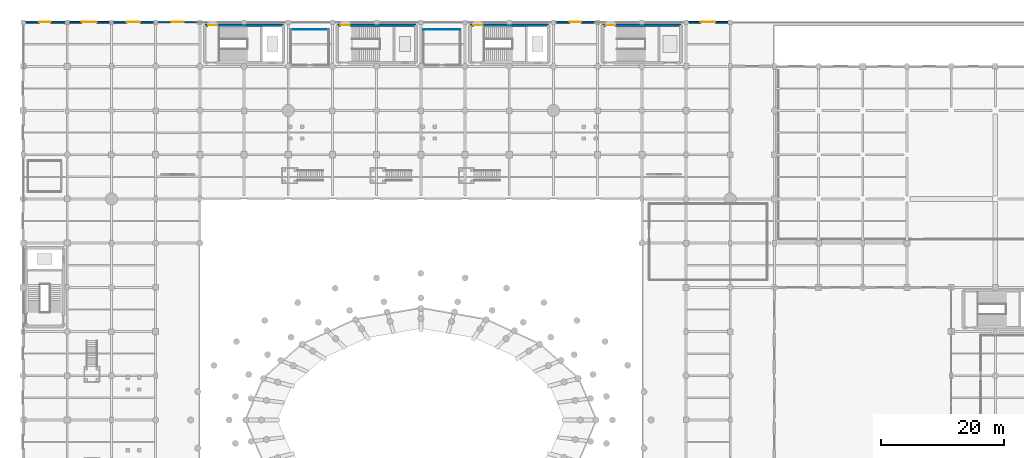
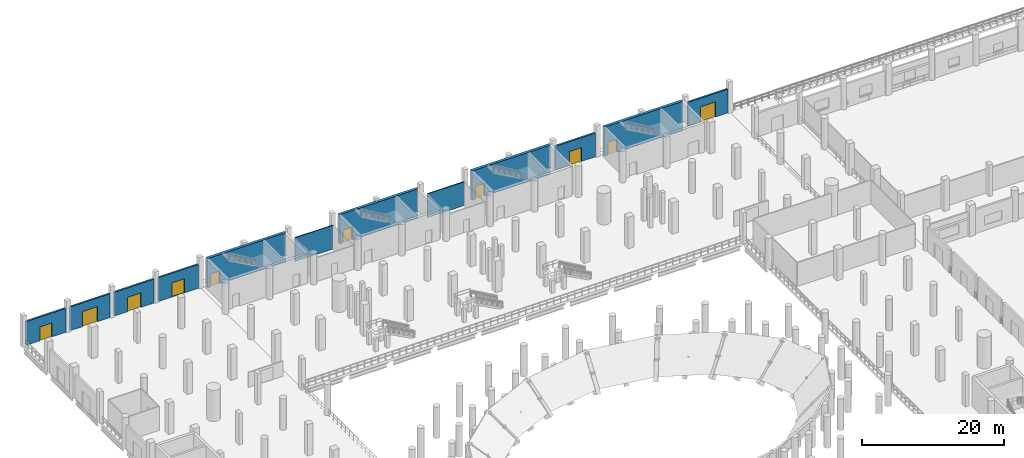
# One storey, part 41 of 58: 12 walls, 10 doors, 10 openings.
"""IFC4 building model written with IfcOpenShell, lengths in metres."""

import ifcopenshell
import ifcopenshell.guid

model = None  # the IFC model being written
_history = None  # IfcOwnerHistory: only IFC2X3 demands one
_inside = {}  # id of a spatial element -> (the spatial element, [elements in it])
_under = {}  # id of a project, library or spatial element -> (it, [spatial elements below it])
_declared = {}  # id of a project -> (the project, [libraries it declares])
_typed = {}  # id of a type object -> (the type object, [elements of that type])
_made_of = {}  # id of a material, layer set ... -> (it, [elements and type objects made of it])


def new_model(schema):
    """Start an empty IFC model of exactly this schema.

    Asked for "IFC4X3", IfcOpenShell would pick the latest addendum, in which some entities
    have other attributes; the version numbers below select the first issue.
    IFC2X3 requires an IfcOwnerHistory on every rooted entity: one is made here for all.
    """
    global model, _history
    if schema == "IFC4X3":
        model = ifcopenshell.file(schema_version=(4, 3, 0, 0))
    else:
        model = ifcopenshell.file(schema=schema)
    _inside.clear()
    _under.clear()
    _declared.clear()
    _typed.clear()
    _made_of.clear()
    _history = None
    if model.schema == "IFC2X3":
        org = make("IfcOrganization", Name="unknown")
        user = make(
            "IfcPersonAndOrganization",
            ThePerson=make("IfcPerson", FamilyName="unknown"),
            TheOrganization=org,
        )
        app = make(
            "IfcApplication",
            ApplicationDeveloper=org,
            Version="unknown",
            ApplicationFullName="unknown",
            ApplicationIdentifier="unknown",
        )
        _history = make(
            "IfcOwnerHistory",
            OwningUser=user,
            OwningApplication=app,
            ChangeAction="ADDED",
            CreationDate=0,
        )
    return model


def make(cls, **values):
    """One entity of the class cls with the attributes given. An attribute that is None is left unset."""
    return model.create_entity(
        cls, **{name: value for name, value in values.items() if value is not None}
    )


def rooted(cls, **values):
    """An entity with a GlobalId (a new one), such as an element, a storey or a relation."""
    return make(cls, GlobalId=ifcopenshell.guid.new(), OwnerHistory=_history, **values)


def si_unit(unit_type, name, prefix=None):
    """IfcSIUnit, for example si_unit("LENGTHUNIT", "METRE", prefix="MILLI")."""
    return make("IfcSIUnit", UnitType=unit_type, Prefix=prefix, Name=name)


def assignment(units):
    """IfcUnitAssignment: the units of a project."""
    return None if units is None else make("IfcUnitAssignment", Units=units)


def point(xyz):
    """IfcCartesianPoint."""
    return None if xyz is None else make("IfcCartesianPoint", Coordinates=xyz)


def direction(xyz):
    """IfcDirection."""
    return None if xyz is None else make("IfcDirection", DirectionRatios=xyz)


def frame(location, z_axis=None, x_axis=None):
    """IfcAxis2Placement3D, a coordinate frame: its origin and axes. An axis left out is left unset."""
    return make(
        "IfcAxis2Placement3D",
        Location=point(location),
        Axis=direction(z_axis),
        RefDirection=direction(x_axis),
    )


def frame_2d(location, x_axis=None):
    """IfcAxis2Placement2D, a coordinate frame in the plane: its origin and x axis."""
    return make(
        "IfcAxis2Placement2D", Location=point(location), RefDirection=direction(x_axis)
    )


def origin():
    """The frame at (0, 0, 0) with its axes left unset."""
    return frame((0.0, 0.0, 0.0))


def place(relative_to, where):
    """IfcLocalPlacement: puts the frame where relative to a parent placement (None: the world)."""
    return make(
        "IfcLocalPlacement", PlacementRelTo=relative_to, RelativePlacement=where
    )


def context(
    kind, dimensions, precision=None, world=None, true_north=None, identifier=None
):
    """IfcGeometricRepresentationContext, for example the 3D "Model" context."""
    return make(
        "IfcGeometricRepresentationContext",
        ContextIdentifier=identifier,
        ContextType=kind,
        CoordinateSpaceDimension=dimensions,
        Precision=precision,
        WorldCoordinateSystem=world,
        TrueNorth=true_north,
    )


def subcontext(parent, identifier, kind, view, scale=None):
    """IfcGeometricRepresentationSubContext, for example "Body" below "Model"."""
    return make(
        "IfcGeometricRepresentationSubContext",
        ContextIdentifier=identifier,
        ContextType=kind,
        ParentContext=parent,
        TargetScale=scale,
        TargetView=view,
    )


def project(units=None, contexts=None):
    """IfcProject with its units and contexts."""
    return rooted(
        "IfcProject",
        Name="project",
        RepresentationContexts=contexts,
        UnitsInContext=assignment(units),
    )


def spatial(cls, under=None, at=None, **own):
    """A site, building, storey or space (cls), placed at a placement, below another one or the project."""
    s = rooted(cls, ObjectPlacement=at, **own)
    if under is not None:
        _under.setdefault(under.id(), (under, []))[1].append(s)
    return s


def profile(cls, at=None, kind="AREA", **sizes):
    """A parametric profile (cls). Its sizes go by their IFC names, for example OverallWidth=200.0."""
    return make(cls, ProfileType=kind, Position=at, **sizes)


def rectangle(**sizes):
    """IfcRectangleProfileDef."""
    return profile("IfcRectangleProfileDef", **sizes)


def extrude(swept, where, along, depth):
    """IfcExtrudedAreaSolid: the profile swept, set in the frame where, extruded along a direction by depth."""
    return make(
        "IfcExtrudedAreaSolid",
        SweptArea=swept,
        Position=where,
        ExtrudedDirection=direction(along),
        Depth=depth,
    )


def shape(context_of_items, identifier, shape_type, items):
    """IfcShapeRepresentation: the items that make up one representation, for example the "Body"."""
    return make(
        "IfcShapeRepresentation",
        ContextOfItems=context_of_items,
        RepresentationIdentifier=identifier,
        RepresentationType=shape_type,
        Items=items,
    )


def material(Name=None, Category=None):
    """IfcMaterial."""
    return make("IfcMaterial", Name=Name, Category=Category)


def layer(
    of_material, thickness, ventilated=None, Name=None, Category=None, Priority=None
):
    """IfcMaterialLayer: one layer of a wall or slab, of a material (None: an air gap)."""
    return make(
        "IfcMaterialLayer",
        Material=of_material,
        LayerThickness=thickness,
        IsVentilated=ventilated,
        Name=Name,
        Category=Category,
        Priority=Priority,
    )


def layer_set(layers, Name=None):
    """IfcMaterialLayerSet."""
    return make("IfcMaterialLayerSet", MaterialLayers=layers, LayerSetName=Name)


def made_of(thing, what):
    """Note that an element or type object is made of a material, layer set ...; save() writes the relation."""
    if what is not None:
        _made_of.setdefault(what.id(), (what, []))[1].append(thing)
    return thing


def type_object(cls, material=None, **own):
    """A type object (cls), such as IfcWallType, which elements share."""
    return made_of(rooted(cls, **own), material)


def element(
    cls,
    number,
    at=None,
    inside=None,
    cuts=None,
    type_object=None,
    material=None,
    context=None,
    identifier="Body",
    shape_type=None,
    held_by="IfcProductDefinitionShape",
    body=None,
    shapes=None,
    **own,
):
    """One element of the class cls, such as IfcWall. Its Tag is "e" and its number.

    at: its placement. inside: the storey or other place that contains it. cuts: it is an
    opening in that element (IfcRelVoidsElement). A single representation is given by context,
    identifier, shape_type and body (its items); several are given by shapes. held_by: the class
    of the entity that holds the representations. save() writes the other relations.
    """
    e = rooted(cls, Tag="e%d" % number, ObjectPlacement=at, **own)
    if body is not None:
        shapes = [shape(context, identifier, shape_type, body)]
    if shapes is not None:
        e.Representation = make(held_by, Representations=shapes)
    if inside is not None:
        _inside.setdefault(inside.id(), (inside, []))[1].append(e)
    if cuts is not None:
        rooted(
            "IfcRelVoidsElement", RelatingBuildingElement=cuts, RelatedOpeningElement=e
        )
    if type_object is not None:
        _typed.setdefault(type_object.id(), (type_object, []))[1].append(e)
    return made_of(e, material)


def fill(opening, filler):
    """IfcRelFillsElement: the door or window that sits in an opening."""
    return rooted(
        "IfcRelFillsElement",
        RelatingOpeningElement=opening,
        RelatedBuildingElement=filler,
    )


def aggregate(whole, parts):
    """IfcRelAggregates: a whole, such as a stair, and the parts it consists of."""
    return rooted("IfcRelAggregates", RelatingObject=whole, RelatedObjects=parts)


def save(model, path):
    """Write the relations noted so far, then the file.

    IfcRelAggregates (storeys below a building ...), IfcRelContainedInSpatialStructure (elements
    in a storey), IfcRelDefinesByType, IfcRelAssociatesMaterial and IfcRelDeclares: one each for
    every whole, place, type object, material and project.
    """
    for whole, parts in _under.values():
        aggregate(whole, parts)
    for where, things in _inside.values():
        rooted(
            "IfcRelContainedInSpatialStructure",
            RelatedElements=things,
            RelatingStructure=where,
        )
    for kind, things in _typed.values():
        rooted("IfcRelDefinesByType", RelatedObjects=things, RelatingType=kind)
    for what, things in _made_of.values():
        rooted("IfcRelAssociatesMaterial", RelatedObjects=things, RelatingMaterial=what)
    for by, libraries in _declared.values():
        rooted("IfcRelDeclares", RelatingContext=by, RelatedDefinitions=libraries)
    model.write(path)


model = new_model("IFC4")

# Units and contexts
model_context = context("Model", 3, precision=1e-05, world=origin(), true_north=direction((0.0, 1.0)))
body_context = subcontext(model_context, "Body", "Model", "MODEL_VIEW")
ifc_project = project(units=[si_unit("LENGTHUNIT", "METRE"), si_unit("AREAUNIT", "SQUARE_METRE"), si_unit("VOLUMEUNIT", "CUBIC_METRE"), si_unit("PLANEANGLEUNIT", "RADIAN"), si_unit("MASSUNIT", "GRAM", prefix="KILO")], contexts=[model_context])

# Site, building, storey
site_placement = place(None, origin())
site = spatial("IfcSite", under=ifc_project, at=site_placement, CompositionType="ELEMENT")
building_placement = place(site_placement, origin())
building = spatial("IfcBuilding", under=site, at=building_placement, Name="Qandorah Velis Arena", CompositionType="ELEMENT")
storey_placement = place(building_placement, origin())
storey = spatial("IfcBuildingStorey", under=building, at=storey_placement, Name="L00", CompositionType="ELEMENT", Elevation=0.0)

# Wall, opening, door
ifc_material_1 = material(Name="Precast concrete C40/50", Category="concrete")
ifc_layer_1 = layer(ifc_material_1, 0.2900390625)
ifc_layer_set_1 = layer_set([ifc_layer_1], Name="Precast concrete C40/50")
wall_type_1 = type_object("IfcWallType", Name="ARC-WAL-EXT290", PredefinedType="SOLIDWALL", material=ifc_layer_set_1)
wall_1_placement = place(storey_placement, frame((7.550048828125, 129.60009765625, 0.0), z_axis=(0.0, 0.0, 1.0), x_axis=(1.0, 0.0, 0.0)))
wall_1 = element("IfcWall", 1, at=wall_1_placement, inside=storey, type_object=wall_type_1, Name="Perimeter concourse exit wall G17", PredefinedType="SOLIDWALL", context=body_context, shape_type="SweptSolid", body=[
    extrude(rectangle(XDim=6.5, YDim=0.2900390625, at=frame_2d((3.25, 0.0))), origin(), (0.0, 0.0, 1.0), 4.10009765625),
])
opening_1_placement = place(wall_1_placement, frame((2.050048828125, 0.0, 0.0)))
opening_1 = element("IfcOpeningElement", 2, at=opening_1_placement, cuts=wall_1, Name="Opening G17", PredefinedType="OPENING", context=body_context, shape_type="SweptSolid", body=[
    extrude(rectangle(XDim=2.39990234375, YDim=2.60009765625, at=frame_2d((1.199951171875, 1.300048828125))), frame((0.0, 0.155029296875, 0.0), z_axis=(0.0, -1.0, 0.0), x_axis=(1.0, 0.0, 0.0)), (0.0, 0.0, 1.0), 0.31005859375),
])
ifc_material_2 = material(Name="Insulated galvanized steel exit door", Category="steel")
door_type_1 = type_object("IfcDoorType", Name="ARC-DR-EXT2400", OperationType="NOTDEFINED", PredefinedType="DOOR", material=ifc_material_2)
door_1_placement = place(opening_1_placement, origin())
door_1 = element("IfcDoor", 3, at=door_1_placement, inside=storey, type_object=door_type_1, Name="Pedestrian exit door G17", OperationType="SINGLE_SWING_RIGHT", OverallHeight=2.60009765625, OverallWidth=2.39990234375, PredefinedType="DOOR", context=body_context, shape_type="SweptSolid", body=[
    extrude(rectangle(XDim=2.39990234375, YDim=2.60009765625, at=frame_2d((1.199951171875, 1.300048828125))), frame((0.0, 0.02490234375, 0.0), z_axis=(0.0, -1.0, 0.0), x_axis=(1.0, 0.0, 0.0)), (0.0, 0.0, 1.0), 0.050048828125),
])
fill(opening_1, door_1)

wall_2_placement = place(storey_placement, frame((21.949951171875, 129.60009765625, 0.0), z_axis=(0.0, 0.0, 1.0), x_axis=(1.0, 0.0, 0.0)))
wall_2 = element("IfcWall", 4, at=wall_2_placement, inside=storey, type_object=wall_type_1, Name="Perimeter concourse exit wall G19", PredefinedType="SOLIDWALL", context=body_context, shape_type="SweptSolid", body=[
    extrude(rectangle(XDim=6.5, YDim=0.2900390625, at=frame_2d((3.25, 0.0))), origin(), (0.0, 0.0, 1.0), 4.10009765625),
])
opening_2_placement = place(wall_2_placement, frame((2.25, 0.0, 0.0)))
opening_2 = element("IfcOpeningElement", 5, at=opening_2_placement, cuts=wall_2, Name="Opening G19", PredefinedType="OPENING", context=body_context, shape_type="SweptSolid", body=[
    extrude(rectangle(XDim=2.0, YDim=2.449951171875, at=frame_2d((1.0, 1.22509765625))), frame((0.0, 0.155029296875, 0.0), z_axis=(0.0, -1.0, 0.0), x_axis=(1.0, 0.0, 0.0)), (0.0, 0.0, 1.0), 0.31005859375),
])
door_type_2 = type_object("IfcDoorType", Name="ARC-DR-EXT2000", OperationType="NOTDEFINED", PredefinedType="DOOR", material=ifc_material_2)
door_2_placement = place(opening_2_placement, origin())
door_2 = element("IfcDoor", 6, at=door_2_placement, inside=storey, type_object=door_type_2, Name="Pedestrian exit door G19", OperationType="SINGLE_SWING_RIGHT", OverallHeight=2.449951171875, OverallWidth=2.0, PredefinedType="DOOR", context=body_context, shape_type="SweptSolid", body=[
    extrude(rectangle(XDim=2.0, YDim=2.449951171875, at=frame_2d((1.0, 1.22509765625))), frame((0.0, 0.02490234375, 0.0), z_axis=(0.0, -1.0, 0.0), x_axis=(1.0, 0.0, 0.0)), (0.0, 0.0, 1.0), 0.050048828125),
])
fill(opening_2, door_2)

wall_3_placement = place(storey_placement, frame((108.35009765625, 129.60009765625, 0.0), z_axis=(0.0, 0.0, 1.0), x_axis=(1.0, 0.0, 0.0)))
wall_3 = element("IfcWall", 7, at=wall_3_placement, inside=storey, type_object=wall_type_1, Name="Perimeter concourse exit wall G21", PredefinedType="SOLIDWALL", context=body_context, shape_type="SweptSolid", body=[
    extrude(rectangle(XDim=6.5, YDim=0.2900390625, at=frame_2d((3.25, 0.0))), origin(), (0.0, 0.0, 1.0), 4.10009765625),
])
opening_3_placement = place(wall_3_placement, frame((2.050048828125, 0.0, 0.0)))
opening_3 = element("IfcOpeningElement", 8, at=opening_3_placement, cuts=wall_3, Name="Opening G21", PredefinedType="OPENING", context=body_context, shape_type="SweptSolid", body=[
    extrude(rectangle(XDim=2.39990234375, YDim=2.60009765625, at=frame_2d((1.199951171875, 1.300048828125))), frame((0.0, 0.155029296875, 0.0), z_axis=(0.0, -1.0, 0.0), x_axis=(1.0, 0.0, 0.0)), (0.0, 0.0, 1.0), 0.31005859375),
])
door_3_placement = place(opening_3_placement, origin())
door_3 = element("IfcDoor", 9, at=door_3_placement, inside=storey, type_object=door_type_1, Name="Pedestrian exit door G21", OperationType="SINGLE_SWING_RIGHT", OverallHeight=2.60009765625, OverallWidth=2.39990234375, PredefinedType="DOOR", context=body_context, shape_type="SweptSolid", body=[
    extrude(rectangle(XDim=2.39990234375, YDim=2.60009765625, at=frame_2d((1.199951171875, 1.300048828125))), frame((0.0, 0.02490234375, 0.0), z_axis=(0.0, -1.0, 0.0), x_axis=(1.0, 0.0, 0.0)), (0.0, 0.0, 1.0), 0.050048828125),
])
fill(opening_3, door_3)

ifc_layer_2 = layer(ifc_material_1, 0.31005859375)
ifc_layer_set_2 = layer_set([ifc_layer_2], Name="Precast concrete C40/50")
wall_type_2 = type_object("IfcWallType", Name="ARC-WAL-EXT310", PredefinedType="SOLIDWALL", material=ifc_layer_set_2)
wall_4_placement = place(storey_placement, frame((0.35009765625, 129.60009765625, 0.0), z_axis=(0.0, 0.0, 1.0), x_axis=(1.0, 0.0, 0.0)))
wall_4 = element("IfcWall", 10, at=wall_4_placement, inside=storey, type_object=wall_type_2, Name="Perimeter concourse exit wall G16", PredefinedType="SOLIDWALL", context=body_context, shape_type="SweptSolid", body=[
    extrude(rectangle(XDim=6.5, YDim=0.31005859375, at=frame_2d((3.25, 0.0))), origin(), (0.0, 0.0, 1.0), 4.10009765625),
])
opening_4_placement = place(wall_4_placement, frame((2.300048828125, 0.0, 0.0)))
opening_4 = element("IfcOpeningElement", 11, at=opening_4_placement, cuts=wall_4, Name="Opening G16", PredefinedType="OPENING", context=body_context, shape_type="SweptSolid", body=[
    extrude(rectangle(XDim=1.89990234375, YDim=2.39990234375, at=frame_2d((0.949951171875, 1.199951171875))), frame((0.0, 0.1650390625, 0.0), z_axis=(0.0, -1.0, 0.0), x_axis=(1.0, 0.0, 0.0)), (0.0, 0.0, 1.0), 0.330078125),
])
door_type_3 = type_object("IfcDoorType", Name="ARC-DR-EXT1900", OperationType="NOTDEFINED", PredefinedType="DOOR", material=ifc_material_2)
door_4_placement = place(opening_4_placement, origin())
door_4 = element("IfcDoor", 12, at=door_4_placement, inside=storey, type_object=door_type_3, Name="Pedestrian exit door G16", OperationType="SINGLE_SWING_LEFT", OverallHeight=2.39990234375, OverallWidth=1.89990234375, PredefinedType="DOOR", context=body_context, shape_type="SweptSolid", body=[
    extrude(rectangle(XDim=1.89990234375, YDim=2.39990234375, at=frame_2d((0.949951171875, 1.199951171875))), frame((0.0, 0.02490234375, 0.0), z_axis=(0.0, -1.0, 0.0), x_axis=(1.0, 0.0, 0.0)), (0.0, 0.0, 1.0), 0.050048828125),
])
fill(opening_4, door_4)

wall_5_placement = place(storey_placement, frame((14.75, 129.60009765625, 0.0), z_axis=(0.0, 0.0, 1.0), x_axis=(1.0, 0.0, 0.0)))
wall_5 = element("IfcWall", 13, at=wall_5_placement, inside=storey, type_object=wall_type_2, Name="Perimeter concourse exit wall G18", PredefinedType="SOLIDWALL", context=body_context, shape_type="SweptSolid", body=[
    extrude(rectangle(XDim=6.5, YDim=0.31005859375, at=frame_2d((3.25, 0.0))), origin(), (0.0, 0.0, 1.0), 4.10009765625),
])
opening_5_placement = place(wall_5_placement, frame((2.14990234375, 0.0, 0.0)))
opening_5 = element("IfcOpeningElement", 14, at=opening_5_placement, cuts=wall_5, Name="Opening G18", PredefinedType="OPENING", context=body_context, shape_type="SweptSolid", body=[
    extrude(rectangle(XDim=2.199951171875, YDim=2.5, at=frame_2d((1.10009765625, 1.25))), frame((0.0, 0.1650390625, 0.0), z_axis=(0.0, -1.0, 0.0), x_axis=(1.0, 0.0, 0.0)), (0.0, 0.0, 1.0), 0.330078125),
])
door_type_4 = type_object("IfcDoorType", Name="ARC-DR-EXT2200", OperationType="NOTDEFINED", PredefinedType="DOOR", material=ifc_material_2)
door_5_placement = place(opening_5_placement, origin())
door_5 = element("IfcDoor", 15, at=door_5_placement, inside=storey, type_object=door_type_4, Name="Pedestrian exit door G18", OperationType="SINGLE_SWING_LEFT", OverallHeight=2.5, OverallWidth=2.199951171875, PredefinedType="DOOR", context=body_context, shape_type="SweptSolid", body=[
    extrude(rectangle(XDim=2.199951171875, YDim=2.5, at=frame_2d((1.10009765625, 1.25))), frame((0.0, 0.02490234375, 0.0), z_axis=(0.0, -1.0, 0.0), x_axis=(1.0, 0.0, 0.0)), (0.0, 0.0, 1.0), 0.050048828125),
])
fill(opening_5, door_5)

wall_6_placement = place(storey_placement, frame((86.75, 129.60009765625, 0.0), z_axis=(0.0, 0.0, 1.0), x_axis=(1.0, 0.0, 0.0)))
wall_6 = element("IfcWall", 16, at=wall_6_placement, inside=storey, type_object=wall_type_2, Name="Perimeter concourse exit wall G20", PredefinedType="SOLIDWALL", context=body_context, shape_type="SweptSolid", body=[
    extrude(rectangle(XDim=6.5, YDim=0.31005859375, at=frame_2d((3.25, 0.0))), origin(), (0.0, 0.0, 1.0), 4.10009765625),
])
opening_6_placement = place(wall_6_placement, frame((2.300048828125, 0.0, 0.0)))
opening_6 = element("IfcOpeningElement", 17, at=opening_6_placement, cuts=wall_6, Name="Opening G20", PredefinedType="OPENING", context=body_context, shape_type="SweptSolid", body=[
    extrude(rectangle(XDim=1.89990234375, YDim=2.39990234375, at=frame_2d((0.949951171875, 1.199951171875))), frame((0.0, 0.1650390625, 0.0), z_axis=(0.0, -1.0, 0.0), x_axis=(1.0, 0.0, 0.0)), (0.0, 0.0, 1.0), 0.330078125),
])
door_6_placement = place(opening_6_placement, origin())
door_6 = element("IfcDoor", 18, at=door_6_placement, inside=storey, type_object=door_type_3, Name="Pedestrian exit door G20", OperationType="SINGLE_SWING_LEFT", OverallHeight=2.39990234375, OverallWidth=1.89990234375, PredefinedType="DOOR", context=body_context, shape_type="SweptSolid", body=[
    extrude(rectangle(XDim=1.89990234375, YDim=2.39990234375, at=frame_2d((0.949951171875, 1.199951171875))), frame((0.0, 0.02490234375, 0.0), z_axis=(0.0, -1.0, 0.0), x_axis=(1.0, 0.0, 0.0)), (0.0, 0.0, 1.0), 0.050048828125),
])
fill(opening_6, door_6)

# Walls
ifc_material_3 = material(Name="Concrete C35/45", Category="concrete")
ifc_layer_3 = layer(ifc_material_3, 0.14990234375)
ifc_layer_set_3 = layer_set([ifc_layer_3], Name="Concrete C35/45")
wall_type_3 = type_object("IfcWallType", Name="ARC-WAL-PART150", PredefinedType="PARTITIONING", material=ifc_layer_set_3)
wall_7_placement = place(storey_placement, frame((49.800048828125, 128.39990234375, 0.0), z_axis=(0.0, 0.0, 1.0), x_axis=(-1.0, 0.0, 0.0)))
element("IfcWall", 19, at=wall_7_placement, inside=storey, type_object=wall_type_3, Name="Interior partition L00-L00-MWC2 (N)", PredefinedType="PARTITIONING", context=body_context, shape_type="SweptSolid", body=[
    extrude(rectangle(XDim=6.199951171875, YDim=0.14990234375, at=frame_2d((3.10009765625, 0.0))), origin(), (0.0, 0.0, 1.0), 4.10009765625),
])
wall_8_placement = place(storey_placement, frame((71.199951171875, 128.39990234375, 0.0), z_axis=(0.0, 0.0, 1.0), x_axis=(-1.0, 0.0, 0.0)))
element("IfcWall", 20, at=wall_8_placement, inside=storey, type_object=wall_type_3, Name="Interior partition L00-L00-FWC2 (N)", PredefinedType="PARTITIONING", context=body_context, shape_type="SweptSolid", body=[
    extrude(rectangle(XDim=6.0, YDim=0.14990234375, at=frame_2d((3.0, 0.0))), origin(), (0.0, 0.0, 1.0), 4.10009765625),
])

# Wall, opening, door
ifc_material_4 = material(Name="Concrete C40/50", Category="concrete")
ifc_layer_4 = layer(ifc_material_4, 0.449951171875)
ifc_layer_set_4 = layer_set([ifc_layer_4], Name="Concrete C40/50")
wall_type_4 = type_object("IfcWallType", Name="STR-WAL-CORE450", PredefinedType="SHEAR", material=ifc_layer_set_4)
wall_9_placement = place(storey_placement, frame((29.60009765625, 129.10009765625, 0.0), z_axis=(0.0, 0.0, 1.0), x_axis=(1.0, 0.0, 0.0)))
wall_9 = element("IfcWall", 21, at=wall_9_placement, inside=storey, type_object=wall_type_4, Name="Core CORE-03 shear wall N (L00)", PredefinedType="SHEAR", context=body_context, shape_type="SweptSolid", body=[
    extrude(rectangle(XDim=12.7998046875, YDim=0.449951171875, at=frame_2d((6.39990234375, 0.0))), origin(), (0.0, 0.0, 1.0), 5.06005859375),
])
opening_7_placement = place(wall_9_placement, frame((0.550048828125, 0.0, 0.0)))
opening_7 = element("IfcOpeningElement", 22, at=opening_7_placement, cuts=wall_9, Name="Opening SD2", PredefinedType="OPENING", context=body_context, shape_type="SweptSolid", body=[
    extrude(rectangle(XDim=1.5, YDim=2.25, at=frame_2d((0.75, 1.125))), frame((0.0, 0.23486328125, 0.0), z_axis=(0.0, -1.0, 0.0), x_axis=(1.0, 0.0, 0.0)), (0.0, 0.0, 1.0), 0.469970703125),
])
ifc_material_5 = material(Name="Self-closing fire-rated stair exit door")
door_type_5 = type_object("IfcDoorType", Name="ARC-DR-ST1500", OperationType="NOTDEFINED", PredefinedType="DOOR", material=ifc_material_5)
door_7_placement = place(opening_7_placement, origin())
door_7 = element("IfcDoor", 23, at=door_7_placement, inside=storey, type_object=door_type_5, Name="Stair ST3 final exit discharge door", OperationType="SINGLE_SWING_RIGHT", OverallHeight=2.25, OverallWidth=1.5, PredefinedType="DOOR", context=body_context, shape_type="SweptSolid", body=[
    extrude(rectangle(XDim=1.5, YDim=2.25, at=frame_2d((0.75, 1.125))), frame((0.0, 0.02490234375, 0.0), z_axis=(0.0, -1.0, 0.0), x_axis=(1.0, 0.0, 0.0)), (0.0, 0.0, 1.0), 0.050048828125),
])
fill(opening_7, door_7)

wall_10_placement = place(storey_placement, frame((72.800048828125, 129.10009765625, 0.0), z_axis=(0.0, 0.0, 1.0), x_axis=(1.0, 0.0, 0.0)))
wall_10 = element("IfcWall", 24, at=wall_10_placement, inside=storey, type_object=wall_type_4, Name="Core CORE-04 shear wall N (L00)", PredefinedType="SHEAR", context=body_context, shape_type="SweptSolid", body=[
    extrude(rectangle(XDim=12.800048828125, YDim=0.449951171875, at=frame_2d((6.39990234375, 0.0))), origin(), (0.0, 0.0, 1.0), 5.06005859375),
])
opening_8_placement = place(wall_10_placement, frame((0.550048828125, 0.0, 0.0)))
opening_8 = element("IfcOpeningElement", 25, at=opening_8_placement, cuts=wall_10, Name="Opening SD2", PredefinedType="OPENING", context=body_context, shape_type="SweptSolid", body=[
    extrude(rectangle(XDim=1.5, YDim=2.25, at=frame_2d((0.75, 1.125))), frame((0.0, 0.23486328125, 0.0), z_axis=(0.0, -1.0, 0.0), x_axis=(1.0, 0.0, 0.0)), (0.0, 0.0, 1.0), 0.469970703125),
])
door_8_placement = place(opening_8_placement, origin())
door_8 = element("IfcDoor", 26, at=door_8_placement, inside=storey, type_object=door_type_5, Name="Stair ST4 final exit discharge door", OperationType="SINGLE_SWING_LEFT", OverallHeight=2.25, OverallWidth=1.5, PredefinedType="DOOR", context=body_context, shape_type="SweptSolid", body=[
    extrude(rectangle(XDim=1.5, YDim=2.25, at=frame_2d((0.75, 1.125))), frame((0.0, 0.02490234375, 0.0), z_axis=(0.0, -1.0, 0.0), x_axis=(1.0, 0.0, 0.0)), (0.0, 0.0, 1.0), 0.050048828125),
])
fill(opening_8, door_8)

wall_11_placement = place(storey_placement, frame((51.199951171875, 129.10009765625, 0.0), z_axis=(0.0, 0.0, 1.0), x_axis=(1.0, 0.0, 0.0)))
wall_11 = element("IfcWall", 27, at=wall_11_placement, inside=storey, type_object=wall_type_4, Name="Core CORE-10 shear wall N (L00)", PredefinedType="SHEAR", context=body_context, shape_type="SweptSolid", body=[
    extrude(rectangle(XDim=12.800048828125, YDim=0.449951171875, at=frame_2d((6.39990234375, 0.0))), origin(), (0.0, 0.0, 1.0), 5.06005859375),
])
opening_9_placement = place(wall_11_placement, frame((0.550048828125, 0.0, 0.0)))
opening_9 = element("IfcOpeningElement", 28, at=opening_9_placement, cuts=wall_11, Name="Opening SD2", PredefinedType="OPENING", context=body_context, shape_type="SweptSolid", body=[
    extrude(rectangle(XDim=1.5, YDim=2.25, at=frame_2d((0.75, 1.125))), frame((0.0, 0.23486328125, 0.0), z_axis=(0.0, -1.0, 0.0), x_axis=(1.0, 0.0, 0.0)), (0.0, 0.0, 1.0), 0.469970703125),
])
door_9_placement = place(opening_9_placement, origin())
door_9 = element("IfcDoor", 29, at=door_9_placement, inside=storey, type_object=door_type_5, Name="Stair ST10 final exit discharge door", OperationType="SINGLE_SWING_LEFT", OverallHeight=2.25, OverallWidth=1.5, PredefinedType="DOOR", context=body_context, shape_type="SweptSolid", body=[
    extrude(rectangle(XDim=1.5, YDim=2.25, at=frame_2d((0.75, 1.125))), frame((0.0, 0.02490234375, 0.0), z_axis=(0.0, -1.0, 0.0), x_axis=(1.0, 0.0, 0.0)), (0.0, 0.0, 1.0), 0.050048828125),
])
fill(opening_9, door_9)

wall_12_placement = place(storey_placement, frame((94.39990234375, 129.10009765625, 0.0), z_axis=(0.0, 0.0, 1.0), x_axis=(1.0, 0.0, 0.0)))
wall_12 = element("IfcWall", 30, at=wall_12_placement, inside=storey, type_object=wall_type_4, Name="Core CORE-12 shear wall N (L00)", PredefinedType="SHEAR", context=body_context, shape_type="SweptSolid", body=[
    extrude(rectangle(XDim=12.800048828125, YDim=0.449951171875, at=frame_2d((6.39990234375, 0.0))), origin(), (0.0, 0.0, 1.0), 5.06005859375),
])
opening_10_placement = place(wall_12_placement, frame((0.550048828125, 0.0, 0.0)))
opening_10 = element("IfcOpeningElement", 31, at=opening_10_placement, cuts=wall_12, Name="Opening SD2", PredefinedType="OPENING", context=body_context, shape_type="SweptSolid", body=[
    extrude(rectangle(XDim=1.5, YDim=2.25, at=frame_2d((0.75, 1.125))), frame((0.0, 0.23486328125, 0.0), z_axis=(0.0, -1.0, 0.0), x_axis=(1.0, 0.0, 0.0)), (0.0, 0.0, 1.0), 0.469970703125),
])
door_10_placement = place(opening_10_placement, origin())
door_10 = element("IfcDoor", 32, at=door_10_placement, inside=storey, type_object=door_type_5, Name="Stair ST12 final exit discharge door", OperationType="SINGLE_SWING_LEFT", OverallHeight=2.25, OverallWidth=1.5, PredefinedType="DOOR", context=body_context, shape_type="SweptSolid", body=[
    extrude(rectangle(XDim=1.5, YDim=2.25, at=frame_2d((0.75, 1.125))), frame((0.0, 0.02490234375, 0.0), z_axis=(0.0, -1.0, 0.0), x_axis=(1.0, 0.0, 0.0)), (0.0, 0.0, 1.0), 0.050048828125),
])
fill(opening_10, door_10)

save(model, "model.ifc")
